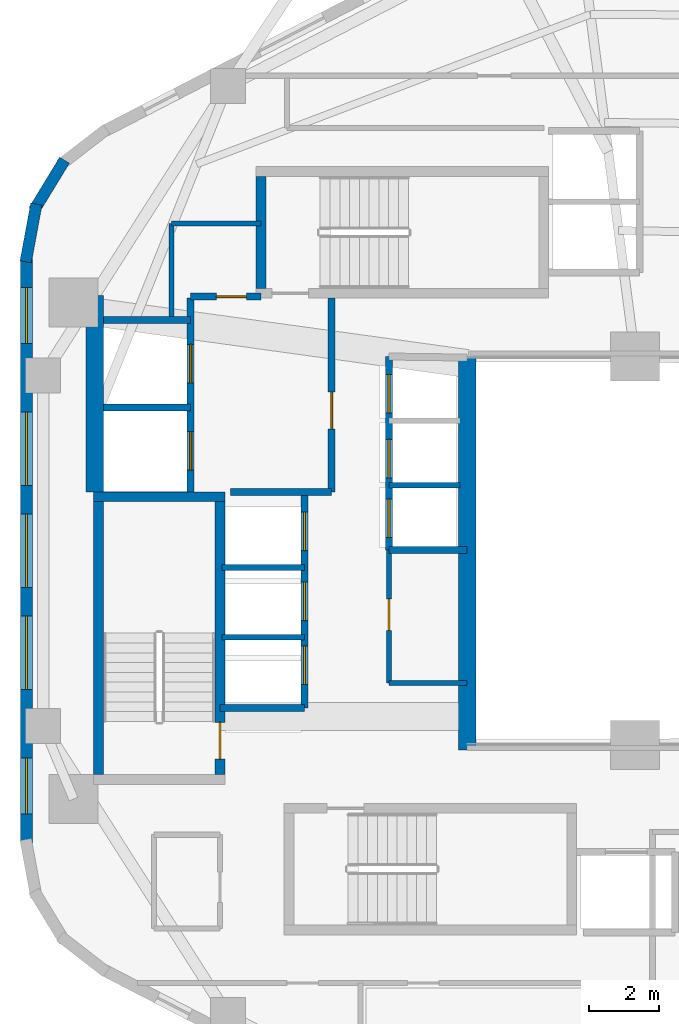
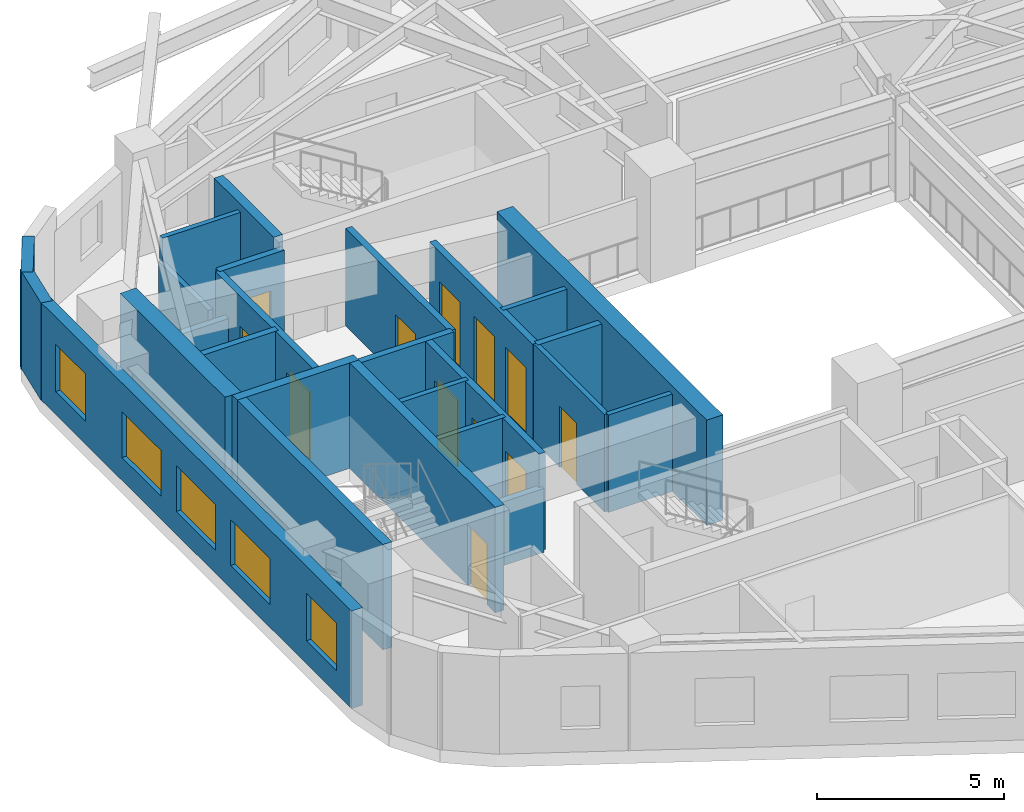
# One storey, part 5 of 9: 26 walls, 12 doors, 5 windows, 17 openings.
"""IFC4 building model written with IfcOpenShell, lengths in metres."""

from ifc_helpers import new_model, si_unit, direction, frame, frame_2d, origin, place, context, subcontext, project, spatial, rectangle, extrude, material, layer, layer_set, type_object, element, fill, save


model = new_model("IFC4")

# Units and contexts
model_context = context("Model", 3, precision=1e-05, world=origin(), true_north=direction((0.0, 1.0)))
body_context = subcontext(model_context, "Body", "Model", "MODEL_VIEW")
ifc_project = project(units=[si_unit("LENGTHUNIT", "METRE"), si_unit("AREAUNIT", "SQUARE_METRE"), si_unit("VOLUMEUNIT", "CUBIC_METRE"), si_unit("PLANEANGLEUNIT", "RADIAN"), si_unit("MASSUNIT", "GRAM", prefix="KILO"), si_unit("THERMODYNAMICTEMPERATUREUNIT", "KELVIN"), si_unit("POWERUNIT", "WATT")], contexts=[model_context])

# Site, building, storey
site_placement = place(None, origin())
site = spatial("IfcSite", under=ifc_project, at=site_placement, CompositionType="ELEMENT")
building_placement = place(site_placement, origin())
building = spatial("IfcBuilding", under=site, at=building_placement, Name="Skarre Station Tower", CompositionType="ELEMENT")
storey_placement = place(building_placement, frame((0.0, 0.0, 101.550048828125)))
storey = spatial("IfcBuildingStorey", under=building, at=storey_placement, Name="L26", CompositionType="ELEMENT", Elevation=101.550048828125)

# Wall, opening, door
ifc_material_1 = material(Name="Acoustic Steel-Stud Gypsum Partition", Category="steel")
ifc_layer_1 = layer(ifc_material_1, 0.14990234375, Name="Acoustic Steel-Stud Gypsum Partition")
ifc_layer_set_1 = layer_set([ifc_layer_1], Name="Acoustic Steel-Stud Gypsum Partition")
wall_type_1 = type_object("IfcWallType", Name="Fire-Rated Corridor Acoustic Partition 150", PredefinedType="PARTITIONING", material=ifc_layer_set_1)
wall_1_placement = place(storey_placement, frame((25.320068359375, 24.02001953125, 0.0), z_axis=(0.0, 0.0, 1.0), x_axis=(0.0, -1.0, 0.0)))
wall_1 = element("IfcWall", 1, at=wall_1_placement, inside=storey, type_object=wall_type_1, Name="L26 Interior Partition WL-PT-L26-RC1-W", PredefinedType="PARTITIONING", context=body_context, shape_type="SweptSolid", body=[
    extrude(rectangle(XDim=3.800048828125, YDim=0.14990234375, at=frame_2d((1.89990234375, 0.0))), origin(), (0.0, 0.0, 1.0), 3.18994140625),
])
opening_1_placement = place(wall_1_placement, frame((1.39990234375, 0.0, 0.0)))
opening_1 = element("IfcOpeningElement", 2, at=opening_1_placement, cuts=wall_1, Name="Opening DR-SVC90", PredefinedType="OPENING", context=body_context, shape_type="SweptSolid", body=[
    extrude(rectangle(XDim=0.89990234375, YDim=2.0, at=frame_2d((0.449951171875, 1.0))), frame((0.0, 0.0849609375, 0.0), z_axis=(0.0, -1.0, 0.0), x_axis=(1.0, 0.0, 0.0)), (0.0, 0.0, 1.0), 0.169921875),
])
ifc_material_2 = material(Name="Powder-Coated Hollow-Metal Acoustic Fire Leaf", Category="steel")
door_type_1 = type_object("IfcDoorType", Name="Service & Riser Fire Door FD60 900x2100", OperationType="SINGLE_SWING_LEFT", PredefinedType="DOOR", material=ifc_material_2)
door_1_placement = place(opening_1_placement, origin())
door_1 = element("IfcDoor", 3, at=door_1_placement, inside=storey, type_object=door_type_1, Name="L26 Housekeeping Room Door", OperationType="SINGLE_SWING_LEFT", OverallHeight=2.0, OverallWidth=0.89990234375, PredefinedType="DOOR", context=body_context, shape_type="SweptSolid", body=[
    extrude(rectangle(XDim=0.89990234375, YDim=2.0, at=frame_2d((0.449951171875, 1.0))), frame((0.0, 0.02490234375, 0.0), z_axis=(0.0, -1.0, 0.0), x_axis=(1.0, 0.0, 0.0)), (0.0, 0.0, 1.0), 0.050048828125),
])
fill(opening_1, door_1)

# Walls
wall_2_placement = place(storey_placement, frame((25.320068359375, 20.219970703125, 0.0), z_axis=(0.0, 0.0, 1.0), x_axis=(1.0, 0.0, 0.0)))
element("IfcWall", 4, at=wall_2_placement, inside=storey, type_object=wall_type_1, Name="L26 Interior Partition WL-PT-L26-RC1-S", PredefinedType="PARTITIONING", context=body_context, shape_type="SweptSolid", body=[
    extrude(rectangle(XDim=2.22998046875, YDim=0.14990234375, at=frame_2d((1.114990234375, 0.0))), origin(), (0.0, 0.0, 1.0), 3.18994140625),
])
wall_3_placement = place(storey_placement, frame((19.10009765625, 33.35009765625, 0.0), z_axis=(0.0, 0.0, 1.0), x_axis=(0.0, -1.0, 0.0)))
element("IfcWall", 5, at=wall_3_placement, inside=storey, type_object=wall_type_1, Name="L26 Interior Partition WL-PT-L26-CNW-W", PredefinedType="PARTITIONING", context=body_context, shape_type="SweptSolid", body=[
    extrude(rectangle(XDim=2.655029296875, YDim=0.14990234375, at=frame_2d((1.32763671875, 0.0))), origin(), (0.0, 0.0, 1.0), 2.419921875),
])
wall_4_placement = place(storey_placement, frame((21.659912109375, 33.35009765625, 0.0), z_axis=(0.0, 0.0, 1.0), x_axis=(-1.0, 0.0, 0.0)))
element("IfcWall", 6, at=wall_4_placement, inside=storey, type_object=wall_type_1, Name="L26 Interior Partition WL-PT-L26-CNW-N1", PredefinedType="PARTITIONING", context=body_context, shape_type="SweptSolid", body=[
    extrude(rectangle(XDim=2.559814453125, YDim=0.14990234375, at=frame_2d((1.27978515625, 0.0))), origin(), (0.0, 0.0, 1.0), 3.18994140625),
])

# Wall, openings, windows
ifc_material_3 = material(Name="Precast concrete C45/55", Category="concrete")
ifc_layer_2 = layer(ifc_material_3, 0.340087890625, Name="Precast concrete C45/55")
ifc_layer_set_2 = layer_set([ifc_layer_2], Name="Precast concrete C45/55")
wall_type_2 = type_object("IfcWallType", Name="Nordic Honed Precast Facet Wall 340", PredefinedType="STANDARD", material=ifc_layer_set_2)
wall_5_placement = place(storey_placement, frame((14.951904296875, 15.64794921875, 0.0), z_axis=(0.0, 0.0, 1.0), x_axis=(0.0, 1.0, 0.0)))
wall_5 = element("IfcWall", 7, at=wall_5_placement, inside=storey, type_object=wall_type_2, Name="L26 Facet 2 Nordic Precast Masonry Wall", PredefinedType="STANDARD", context=body_context, shape_type="SweptSolid", body=[
    extrude(rectangle(XDim=16.7041015625, YDim=0.340087890625, at=frame_2d((8.35205078125, 0.0))), origin(), (0.0, 0.0, 1.0), 3.18994140625),
])
opening_2_placement = place(wall_5_placement, frame((0.825927734375, 0.0, 0.75)))
opening_2 = element("IfcOpeningElement", 8, at=opening_2_placement, cuts=wall_5, Name="Opening WN-Z2A", PredefinedType="OPENING", context=body_context, shape_type="SweptSolid", body=[
    extrude(rectangle(XDim=1.60009765625, YDim=1.550048828125, at=frame_2d((0.800048828125, 0.77490234375))), frame((0.0, 0.179931640625, 0.0), z_axis=(0.0, -1.0, 0.0), x_axis=(1.0, 0.0, 0.0)), (0.0, 0.0, 1.0), 0.360107421875),
])
opening_3_placement = place(wall_5_placement, frame((4.387939453125, 0.0, 0.75)))
opening_3 = element("IfcOpeningElement", 9, at=opening_3_placement, cuts=wall_5, Name="Opening WN-Z2B", PredefinedType="OPENING", context=body_context, shape_type="SweptSolid", body=[
    extrude(rectangle(XDim=2.10009765625, YDim=1.5, at=frame_2d((1.050048828125, 0.75))), frame((0.0, 0.179931640625, 0.0), z_axis=(0.0, -1.0, 0.0), x_axis=(1.0, 0.0, 0.0)), (0.0, 0.0, 1.0), 0.360107421875),
])
opening_4_placement = place(wall_5_placement, frame((7.302001953125, 0.0, 0.75)))
opening_4 = element("IfcOpeningElement", 10, at=opening_4_placement, cuts=wall_5, Name="Opening WN-Z2B", PredefinedType="OPENING", context=body_context, shape_type="SweptSolid", body=[
    extrude(rectangle(XDim=2.10009765625, YDim=1.5, at=frame_2d((1.050048828125, 0.75))), frame((0.0, 0.179931640625, 0.0), z_axis=(0.0, -1.0, 0.0), x_axis=(1.0, 0.0, 0.0)), (0.0, 0.0, 1.0), 0.360107421875),
])
opening_5_placement = place(wall_5_placement, frame((10.216064453125, 0.0, 0.75)))
opening_5 = element("IfcOpeningElement", 11, at=opening_5_placement, cuts=wall_5, Name="Opening WN-Z2B", PredefinedType="OPENING", context=body_context, shape_type="SweptSolid", body=[
    extrude(rectangle(XDim=2.10009765625, YDim=1.5, at=frame_2d((1.050048828125, 0.75))), frame((0.0, 0.179931640625, 0.0), z_axis=(0.0, -1.0, 0.0), x_axis=(1.0, 0.0, 0.0)), (0.0, 0.0, 1.0), 0.360107421875),
])
opening_6_placement = place(wall_5_placement, frame((14.278076171875, 0.0, 0.75)))
opening_6 = element("IfcOpeningElement", 12, at=opening_6_placement, cuts=wall_5, Name="Opening WN-Z2A", PredefinedType="OPENING", context=body_context, shape_type="SweptSolid", body=[
    extrude(rectangle(XDim=1.60009765625, YDim=1.550048828125, at=frame_2d((0.800048828125, 0.77490234375))), frame((0.0, 0.179931640625, 0.0), z_axis=(0.0, -1.0, 0.0), x_axis=(1.0, 0.0, 0.0)), (0.0, 0.0, 1.0), 0.360107421875),
])
ifc_material_4 = material(Name="Low-Iron Triple Glazing with Bronze Anodized Frame", Category="glass")
window_type_1 = type_object("IfcWindowType", Name="Nordic Residential Tall Window 1600x1550", PartitioningType="SINGLE_PANEL", PredefinedType="WINDOW", material=ifc_material_4)
window_1_placement = place(opening_2_placement, origin())
window_1 = element("IfcWindow", 13, at=window_1_placement, inside=storey, type_object=window_type_1, Name="L26 Facade Window WL-FAC-L26-F2-1", OverallHeight=1.550048828125, OverallWidth=1.60009765625, PartitioningType="SINGLE_PANEL", PredefinedType="WINDOW", context=body_context, shape_type="SweptSolid", body=[
    extrude(rectangle(XDim=1.60009765625, YDim=1.550048828125, at=frame_2d((0.800048828125, 0.77490234375))), frame((0.0, 0.030029296875, 0.0), z_axis=(0.0, -1.0, 0.0), x_axis=(1.0, 0.0, 0.0)), (0.0, 0.0, 1.0), 0.06005859375),
])
fill(opening_2, window_1)
window_2_placement = place(opening_6_placement, origin())
window_2 = element("IfcWindow", 14, at=window_2_placement, inside=storey, type_object=window_type_1, Name="L26 Facade Window WL-FAC-L26-F2-5", OverallHeight=1.550048828125, OverallWidth=1.60009765625, PartitioningType="SINGLE_PANEL", PredefinedType="WINDOW", context=body_context, shape_type="SweptSolid", body=[
    extrude(rectangle(XDim=1.60009765625, YDim=1.550048828125, at=frame_2d((0.800048828125, 0.77490234375))), frame((0.0, 0.030029296875, 0.0), z_axis=(0.0, -1.0, 0.0), x_axis=(1.0, 0.0, 0.0)), (0.0, 0.0, 1.0), 0.06005859375),
])
fill(opening_6, window_2)
window_type_2 = type_object("IfcWindowType", Name="Nordic Residential Twin Window 2100x1500", PartitioningType="SINGLE_PANEL", PredefinedType="WINDOW", material=ifc_material_4)
window_3_placement = place(opening_3_placement, origin())
window_3 = element("IfcWindow", 15, at=window_3_placement, inside=storey, type_object=window_type_2, Name="L26 Facade Window WL-FAC-L26-F2-2", OverallHeight=1.5, OverallWidth=2.10009765625, PartitioningType="SINGLE_PANEL", PredefinedType="WINDOW", context=body_context, shape_type="SweptSolid", body=[
    extrude(rectangle(XDim=2.10009765625, YDim=1.5, at=frame_2d((1.050048828125, 0.75))), frame((0.0, 0.030029296875, 0.0), z_axis=(0.0, -1.0, 0.0), x_axis=(1.0, 0.0, 0.0)), (0.0, 0.0, 1.0), 0.06005859375),
])
fill(opening_3, window_3)
window_4_placement = place(opening_4_placement, origin())
window_4 = element("IfcWindow", 16, at=window_4_placement, inside=storey, type_object=window_type_2, Name="L26 Facade Window WL-FAC-L26-F2-3", OverallHeight=1.5, OverallWidth=2.10009765625, PartitioningType="SINGLE_PANEL", PredefinedType="WINDOW", context=body_context, shape_type="SweptSolid", body=[
    extrude(rectangle(XDim=2.10009765625, YDim=1.5, at=frame_2d((1.050048828125, 0.75))), frame((0.0, 0.030029296875, 0.0), z_axis=(0.0, -1.0, 0.0), x_axis=(1.0, 0.0, 0.0)), (0.0, 0.0, 1.0), 0.06005859375),
])
fill(opening_4, window_4)
window_5_placement = place(opening_5_placement, origin())
window_5 = element("IfcWindow", 17, at=window_5_placement, inside=storey, type_object=window_type_2, Name="L26 Facade Window WL-FAC-L26-F2-4", OverallHeight=1.5, OverallWidth=2.10009765625, PartitioningType="SINGLE_PANEL", PredefinedType="WINDOW", context=body_context, shape_type="SweptSolid", body=[
    extrude(rectangle(XDim=2.10009765625, YDim=1.5, at=frame_2d((1.050048828125, 0.75))), frame((0.0, 0.030029296875, 0.0), z_axis=(0.0, -1.0, 0.0), x_axis=(1.0, 0.0, 0.0)), (0.0, 0.0, 1.0), 0.06005859375),
])
fill(opening_5, window_5)

# Walls
ifc_layer_3 = layer(ifc_material_3, 0.330078125, Name="Precast concrete C45/55")
ifc_layer_set_3 = layer_set([ifc_layer_3], Name="Precast concrete C45/55")
wall_type_3 = type_object("IfcWallType", Name="Nordic Rounded Corner Precast Wall 330", PredefinedType="STANDARD", material=ifc_layer_set_3)
wall_6_placement = place(storey_placement, frame((14.931884765625, 32.258056640625, 0.0), z_axis=(0.0, 0.0, 1.0), x_axis=(0.181984991895, 0.983301308209, 0.0)))
element("IfcWall", 18, at=wall_6_placement, inside=storey, type_object=wall_type_3, Name="L26 Rounded Corner Precast Wall F2-1", PredefinedType="STANDARD", context=body_context, shape_type="SweptSolid", body=[
    extrude(rectangle(XDim=1.677001953125, YDim=0.330078125, at=frame_2d((0.83837890625, 0.0))), origin(), (0.0, 0.0, 1.0), 3.18994140625),
])
wall_7_placement = place(storey_placement, frame((15.169921875, 33.73193359375, 0.0), z_axis=(0.0, 0.0, 1.0), x_axis=(0.520519429557, 0.853849824883, 0.0)))
element("IfcWall", 19, at=wall_7_placement, inside=storey, type_object=wall_type_3, Name="L26 Rounded Corner Precast Wall F2-2", PredefinedType="STANDARD", context=body_context, shape_type="SweptSolid", body=[
    extrude(rectangle(XDim=1.67724609375, YDim=0.330078125, at=frame_2d((0.838623046875, 0.0))), origin(), (0.0, 0.0, 1.0), 3.18994140625),
])
ifc_material_5 = material(Name="Concrete C50/60", Category="concrete")
ifc_layer_4 = layer(ifc_material_5, 0.280029296875, Name="Concrete C50/60")
ifc_layer_set_4 = layer_set([ifc_layer_4], Name="Concrete C50/60")
wall_type_4 = type_object("IfcWallType", Name="RC Core Shear Wall 280", PredefinedType="SHEAR", material=ifc_layer_set_4)
wall_8_placement = place(storey_placement, frame((20.6298828125, 25.5400390625, 0.0), z_axis=(0.0, 0.0, 1.0), x_axis=(-1.0, 0.0, 0.0)))
element("IfcWall", 20, at=wall_8_placement, inside=storey, type_object=wall_type_4, Name="L26 Stair ST-1 North Shear Wall", PredefinedType="SHEAR", context=body_context, shape_type="SweptSolid", body=[
    extrude(rectangle(XDim=3.759765625, YDim=0.280029296875, at=frame_2d((1.8798828125, 0.0))), origin(), (0.0, 0.0, 1.0), 3.449951171875),
])
wall_9_placement = place(storey_placement, frame((17.010009765625, 25.39990234375, 0.0), z_axis=(0.0, 0.0, 1.0), x_axis=(0.0, -1.0, 0.0)))
element("IfcWall", 21, at=wall_9_placement, inside=storey, type_object=wall_type_4, Name="L26 Stair ST-1 West Shear Wall", PredefinedType="SHEAR", context=body_context, shape_type="SweptSolid", body=[
    extrude(rectangle(XDim=7.7998046875, YDim=0.280029296875, at=frame_2d((3.89990234375, 0.0))), origin(), (0.0, 0.0, 1.0), 3.449951171875),
])

# Wall, opening, door
wall_10_placement = place(storey_placement, frame((20.489990234375, 17.60009765625, 0.0), z_axis=(0.0, 0.0, 1.0), x_axis=(0.0, 1.0, 0.0)))
wall_10 = element("IfcWall", 22, at=wall_10_placement, inside=storey, type_object=wall_type_4, Name="L26 Stair ST-1 East Shear Wall", PredefinedType="SHEAR", context=body_context, shape_type="SweptSolid", body=[
    extrude(rectangle(XDim=7.7998046875, YDim=0.280029296875, at=frame_2d((3.89990234375, 0.0))), origin(), (0.0, 0.0, 1.0), 3.449951171875),
])
opening_7_placement = place(wall_10_placement, frame((0.43994140625, 0.0, 0.0)))
opening_7 = element("IfcOpeningElement", 23, at=opening_7_placement, cuts=wall_10, Name="Opening DR-FD90", PredefinedType="OPENING", context=body_context, shape_type="SweptSolid", body=[
    extrude(rectangle(XDim=1.050048828125, YDim=2.0, at=frame_2d((0.52490234375, 1.0))), frame((0.0, 0.14990234375, 0.0), z_axis=(0.0, -1.0, 0.0), x_axis=(1.0, 0.0, 0.0)), (0.0, 0.0, 1.0), 0.300048828125),
])
ifc_material_6 = material(Name="Fire-Rated Insulated Steel Frame & Timber Core Leaf", Category="steel")
door_type_2 = type_object("IfcDoorType", Name="Stair & FSAE Lobby Fire Door FD90 1050x2150", OperationType="SINGLE_SWING_RIGHT", PredefinedType="DOOR", material=ifc_material_6)
door_2_placement = place(opening_7_placement, origin())
door_2 = element("IfcDoor", 24, at=door_2_placement, inside=storey, type_object=door_type_2, Name="L26 Stair ST-1 Exit Door", OperationType="SINGLE_SWING_RIGHT", OverallHeight=2.0, OverallWidth=1.050048828125, PredefinedType="DOOR", context=body_context, shape_type="SweptSolid", body=[
    extrude(rectangle(XDim=1.050048828125, YDim=2.0, at=frame_2d((0.52490234375, 1.0))), frame((0.0, 0.02490234375, 0.0), z_axis=(0.0, -1.0, 0.0), x_axis=(1.0, 0.0, 0.0)), (0.0, 0.0, 1.0), 0.050048828125),
])
fill(opening_7, door_2)

# Walls
wall_11_placement = place(storey_placement, frame((21.659912109375, 34.699951171875, 0.0), z_axis=(0.0, 0.0, 1.0), x_axis=(0.0, -1.0, 0.0)))
element("IfcWall", 25, at=wall_11_placement, inside=storey, type_object=wall_type_4, Name="L26 Stair ST-3 West Shear Wall", PredefinedType="SHEAR", context=body_context, shape_type="SweptSolid", body=[
    extrude(rectangle(XDim=3.199951171875, YDim=0.280029296875, at=frame_2d((1.60009765625, 0.0))), origin(), (0.0, 0.0, 1.0), 3.449951171875),
])
ifc_material_7 = material(Name="Concrete C70/85", Category="concrete")
ifc_layer_5 = layer(ifc_material_7, 0.5, Name="Concrete C70/85")
ifc_layer_set_5 = layer_set([ifc_layer_5], Name="Concrete C70/85")
wall_type_5 = type_object("IfcWallType", Name="RC Core Shear Wall 500", PredefinedType="SHEAR", material=ifc_layer_set_5)
wall_12_placement = place(storey_placement, frame((16.89990234375, 25.679931640625, 0.0), z_axis=(0.0, 0.0, 1.0), x_axis=(0.0, 1.0, 0.0)))
element("IfcWall", 26, at=wall_12_placement, inside=storey, type_object=wall_type_5, Name="L26 Core West-North Shear Wall", PredefinedType="SHEAR", context=body_context, shape_type="SweptSolid", body=[
    extrude(rectangle(XDim=5.6201171875, YDim=0.5, at=frame_2d((2.81005859375, 0.0))), origin(), (0.0, 0.0, 1.0), 3.449951171875),
])
wall_13_placement = place(storey_placement, frame((27.550048828125, 29.550048828125, 0.0), z_axis=(0.0, 0.0, 1.0), x_axis=(0.0, -1.0, 0.0)))
element("IfcWall", 27, at=wall_13_placement, inside=storey, type_object=wall_type_5, Name="L26 Core East Atrium Shear Wall", PredefinedType="SHEAR", context=body_context, shape_type="SweptSolid", body=[
    extrude(rectangle(XDim=11.25, YDim=0.5, at=frame_2d((5.625, 0.0))), origin(), (0.0, 0.0, 1.0), 3.449951171875),
])

# Wall, openings, doors
ifc_material_8 = material(Name="Gypsum Concrete Shaft Assembly C30/37", Category="concrete")
ifc_layer_6 = layer(ifc_material_8, 0.199951171875, Name="Gypsum Concrete Shaft Assembly C30/37")
ifc_layer_set_6 = layer_set([ifc_layer_6], Name="Gypsum Concrete Shaft Assembly C30/37")
wall_type_6 = type_object("IfcWallType", Name="Shaft & Core Fire Partition 200", PredefinedType="PARTITIONING", material=ifc_layer_set_6)
wall_14_placement = place(storey_placement, frame((19.64990234375, 25.679931640625, 0.0), z_axis=(0.0, 0.0, 1.0), x_axis=(0.0, 1.0, 0.0)))
wall_14 = element("IfcWall", 28, at=wall_14_placement, inside=storey, type_object=wall_type_6, Name="L26 Interior Partition WL-PT-L26-FSAE-W", PredefinedType="PARTITIONING", context=body_context, shape_type="SweptSolid", body=[
    extrude(rectangle(XDim=5.5400390625, YDim=0.199951171875, at=frame_2d((2.77001953125, 0.0))), origin(), (0.0, 0.0, 1.0), 3.18994140625),
])
opening_8_placement = place(wall_14_placement, frame((0.6201171875, 0.0, 0.0)))
opening_8 = element("IfcOpeningElement", 29, at=opening_8_placement, cuts=wall_14, Name="Opening LD-FF1", PredefinedType="OPENING", context=body_context, shape_type="SweptSolid", body=[
    extrude(rectangle(XDim=1.10009765625, YDim=2.199951171875, at=frame_2d((0.550048828125, 1.10009765625))), frame((0.0, 0.10986328125, 0.0), z_axis=(0.0, -1.0, 0.0), x_axis=(1.0, 0.0, 0.0)), (0.0, 0.0, 1.0), 0.219970703125),
])
opening_9_placement = place(wall_14_placement, frame((3.1201171875, 0.0, 0.0)))
opening_9 = element("IfcOpeningElement", 30, at=opening_9_placement, cuts=wall_14, Name="Opening LD-FF2", PredefinedType="OPENING", context=body_context, shape_type="SweptSolid", body=[
    extrude(rectangle(XDim=1.10009765625, YDim=2.199951171875, at=frame_2d((0.550048828125, 1.10009765625))), frame((0.0, 0.10986328125, 0.0), z_axis=(0.0, -1.0, 0.0), x_axis=(1.0, 0.0, 0.0)), (0.0, 0.0, 1.0), 0.219970703125),
])
ifc_material_9 = material(Name="Fire-Rated Stainless Steel Grade 316L Sliding Leaves", Category="steel")
door_type_3 = type_object("IfcDoorType", Name="Fire Service Access Elevator Sliding Landing Door 1100x2200", OperationType="SLIDING_TO_LEFT", PredefinedType="DOOR", material=ifc_material_9)
door_3_placement = place(opening_8_placement, origin())
door_3 = element("IfcDoor", 31, at=door_3_placement, inside=storey, type_object=door_type_3, Name="L26 Firefighting Lift LF-FF1 Landing Door", OperationType="SLIDING_TO_LEFT", OverallHeight=2.199951171875, OverallWidth=1.10009765625, PredefinedType="DOOR", context=body_context, shape_type="SweptSolid", body=[
    extrude(rectangle(XDim=1.10009765625, YDim=2.199951171875, at=frame_2d((0.550048828125, 1.10009765625))), frame((0.0, 0.02490234375, 0.0), z_axis=(0.0, -1.0, 0.0), x_axis=(1.0, 0.0, 0.0)), (0.0, 0.0, 1.0), 0.050048828125),
])
fill(opening_8, door_3)
door_4_placement = place(opening_9_placement, origin())
door_4 = element("IfcDoor", 32, at=door_4_placement, inside=storey, type_object=door_type_3, Name="L26 Firefighting Lift LF-FF2 Landing Door", OperationType="SLIDING_TO_LEFT", OverallHeight=2.199951171875, OverallWidth=1.10009765625, PredefinedType="DOOR", context=body_context, shape_type="SweptSolid", body=[
    extrude(rectangle(XDim=1.10009765625, YDim=2.199951171875, at=frame_2d((0.550048828125, 1.10009765625))), frame((0.0, 0.02490234375, 0.0), z_axis=(0.0, -1.0, 0.0), x_axis=(1.0, 0.0, 0.0)), (0.0, 0.0, 1.0), 0.050048828125),
])
fill(opening_9, door_4)

# Wall
wall_15_placement = place(storey_placement, frame((20.79296875, 25.679931640625, 0.0), z_axis=(0.0, 0.0, 1.0), x_axis=(1.0, 0.0, 0.0)))
element("IfcWall", 33, at=wall_15_placement, inside=storey, type_object=wall_type_6, Name="L26 Interior Partition WL-PT-L26-FSAE-S", PredefinedType="PARTITIONING", context=body_context, shape_type="SweptSolid", body=[
    extrude(rectangle(XDim=2.886962890625, YDim=0.199951171875, at=frame_2d((1.443359375, 0.0))), origin(), (0.0, 0.0, 1.0), 3.18994140625),
])

# Wall, opening, door
wall_16_placement = place(storey_placement, frame((23.679931640625, 25.679931640625, 0.0), z_axis=(0.0, 0.0, 1.0), x_axis=(0.0, 1.0, 0.0)))
wall_16 = element("IfcWall", 34, at=wall_16_placement, inside=storey, type_object=wall_type_6, Name="L26 Interior Partition WL-PT-L26-FSAE-E", PredefinedType="PARTITIONING", context=body_context, shape_type="SweptSolid", body=[
    extrude(rectangle(XDim=5.5400390625, YDim=0.199951171875, at=frame_2d((2.77001953125, 0.0))), origin(), (0.0, 0.0, 1.0), 3.18994140625),
])
opening_10_placement = place(wall_16_placement, frame((1.800048828125, 0.0, 0.0)))
opening_10 = element("IfcOpeningElement", 35, at=opening_10_placement, cuts=wall_16, Name="Opening DR-FD90", PredefinedType="OPENING", context=body_context, shape_type="SweptSolid", body=[
    extrude(rectangle(XDim=1.050048828125, YDim=2.0, at=frame_2d((0.52490234375, 1.0))), frame((0.0, 0.10986328125, 0.0), z_axis=(0.0, -1.0, 0.0), x_axis=(1.0, 0.0, 0.0)), (0.0, 0.0, 1.0), 0.219970703125),
])
door_5_placement = place(opening_10_placement, origin())
door_5 = element("IfcDoor", 36, at=door_5_placement, inside=storey, type_object=door_type_2, Name="L26 FSAE Lobby Fire Door", OperationType="SINGLE_SWING_RIGHT", OverallHeight=2.0, OverallWidth=1.050048828125, PredefinedType="DOOR", context=body_context, shape_type="SweptSolid", body=[
    extrude(rectangle(XDim=1.050048828125, YDim=2.0, at=frame_2d((0.52490234375, 1.0))), frame((0.0, 0.02490234375, 0.0), z_axis=(0.0, -1.0, 0.0), x_axis=(1.0, 0.0, 0.0)), (0.0, 0.0, 1.0), 0.050048828125),
])
fill(opening_10, door_5)

wall_17_placement = place(storey_placement, frame((21.659912109375, 31.260009765625, 0.0), z_axis=(0.0, 0.0, 1.0), x_axis=(-1.0, 0.0, 0.0)))
wall_17 = element("IfcWall", 37, at=wall_17_placement, inside=storey, type_object=wall_type_6, Name="L26 Interior Partition WL-PT-L26-FSAE-N", PredefinedType="PARTITIONING", context=body_context, shape_type="SweptSolid", body=[
    extrude(rectangle(XDim=2.010009765625, YDim=0.199951171875, at=frame_2d((1.0048828125, 0.0))), origin(), (0.0, 0.0, 1.0), 3.18994140625),
])
opening_11_placement = place(wall_17_placement, frame((0.419921875, 0.0, 0.0)))
opening_11 = element("IfcOpeningElement", 38, at=opening_11_placement, cuts=wall_17, Name="Opening DR-SVC86", PredefinedType="OPENING", context=body_context, shape_type="SweptSolid", body=[
    extrude(rectangle(XDim=0.860107421875, YDim=2.0, at=frame_2d((0.43017578125, 1.0))), frame((0.0, 0.10986328125, 0.0), z_axis=(0.0, -1.0, 0.0), x_axis=(1.0, 0.0, 0.0)), (0.0, 0.0, 1.0), 0.219970703125),
])
door_type_4 = type_object("IfcDoorType", Name="Compact Riser Fire Door FD60 860x2100", OperationType="SINGLE_SWING_LEFT", PredefinedType="DOOR", material=ifc_material_2)
door_6_placement = place(opening_11_placement, origin())
door_6 = element("IfcDoor", 39, at=door_6_placement, inside=storey, type_object=door_type_4, Name="L26 Core Service Room Lobby Door", OperationType="SINGLE_SWING_LEFT", OverallHeight=2.0, OverallWidth=0.860107421875, PredefinedType="DOOR", context=body_context, shape_type="SweptSolid", body=[
    extrude(rectangle(XDim=0.860107421875, YDim=2.0, at=frame_2d((0.43017578125, 1.0))), frame((0.0, 0.02490234375, 0.0), z_axis=(0.0, -1.0, 0.0), x_axis=(1.0, 0.0, 0.0)), (0.0, 0.0, 1.0), 0.050048828125),
])
fill(opening_11, door_6)

# Walls
wall_18_placement = place(storey_placement, frame((17.14990234375, 28.10009765625, 0.0), z_axis=(0.0, 0.0, 1.0), x_axis=(1.0, 0.0, 0.0)))
element("IfcWall", 40, at=wall_18_placement, inside=storey, type_object=wall_type_6, Name="L26 Interior Partition WL-PT-L26-FF-DIV", PredefinedType="PARTITIONING", context=body_context, shape_type="SweptSolid", body=[
    extrude(rectangle(XDim=2.5, YDim=0.199951171875, at=frame_2d((1.25, 0.0))), origin(), (0.0, 0.0, 1.0), 3.18994140625),
])
wall_19_placement = place(storey_placement, frame((19.64990234375, 30.60009765625, 0.0), z_axis=(0.0, 0.0, 1.0), x_axis=(-1.0, 0.0, 0.0)))
element("IfcWall", 41, at=wall_19_placement, inside=storey, type_object=wall_type_6, Name="L26 Interior Partition WL-PT-L26-FF-N", PredefinedType="PARTITIONING", context=body_context, shape_type="SweptSolid", body=[
    extrude(rectangle(XDim=2.5, YDim=0.199951171875, at=frame_2d((1.25, 0.0))), origin(), (0.0, 0.0, 1.0), 2.08984375),
])

# Wall, openings, doors
wall_20_placement = place(storey_placement, frame((22.89990234375, 19.5, 0.0), z_axis=(0.0, 0.0, 1.0), x_axis=(0.0, 1.0, 0.0)))
wall_20 = element("IfcWall", 42, at=wall_20_placement, inside=storey, type_object=wall_type_6, Name="L26 Interior Partition WL-PT-L26-B3-E", PredefinedType="PARTITIONING", context=body_context, shape_type="SweptSolid", body=[
    extrude(rectangle(XDim=6.0849609375, YDim=0.199951171875, at=frame_2d((3.04248046875, 0.0))), origin(), (0.0, 0.0, 1.0), 3.18994140625),
])
opening_12_placement = place(wall_20_placement, frame((0.679931640625, 0.0, 0.0)))
opening_12 = element("IfcOpeningElement", 43, at=opening_12_placement, cuts=wall_20, Name="Opening LD-P7", PredefinedType="OPENING", context=body_context, shape_type="SweptSolid", body=[
    extrude(rectangle(XDim=1.10009765625, YDim=2.199951171875, at=frame_2d((0.550048828125, 1.10009765625))), frame((0.0, 0.10986328125, 0.0), z_axis=(0.0, -1.0, 0.0), x_axis=(1.0, 0.0, 0.0)), (0.0, 0.0, 1.0), 0.219970703125),
])
opening_13_placement = place(wall_20_placement, frame((2.5, 0.0, 0.0)))
opening_13 = element("IfcOpeningElement", 44, at=opening_13_placement, cuts=wall_20, Name="Opening LD-P8", PredefinedType="OPENING", context=body_context, shape_type="SweptSolid", body=[
    extrude(rectangle(XDim=1.10009765625, YDim=2.199951171875, at=frame_2d((0.550048828125, 1.10009765625))), frame((0.0, 0.10986328125, 0.0), z_axis=(0.0, -1.0, 0.0), x_axis=(1.0, 0.0, 0.0)), (0.0, 0.0, 1.0), 0.219970703125),
])
opening_14_placement = place(wall_20_placement, frame((4.5, 0.0, 0.0)))
opening_14 = element("IfcOpeningElement", 45, at=opening_14_placement, cuts=wall_20, Name="Opening LD-P9", PredefinedType="OPENING", context=body_context, shape_type="SweptSolid", body=[
    extrude(rectangle(XDim=1.10009765625, YDim=2.199951171875, at=frame_2d((0.550048828125, 1.10009765625))), frame((0.0, 0.10986328125, 0.0), z_axis=(0.0, -1.0, 0.0), x_axis=(1.0, 0.0, 0.0)), (0.0, 0.0, 1.0), 0.219970703125),
])
ifc_material_10 = material(Name="Brushed Bronze Stainless Steel Sliding Leaves", Category="steel")
door_type_5 = type_object("IfcDoorType", Name="Passenger Elevator Center-Parting Sliding Door 1100x2200", OperationType="SLIDING_TO_LEFT", PredefinedType="DOOR", material=ifc_material_10)
door_7_placement = place(opening_12_placement, origin())
door_7 = element("IfcDoor", 46, at=door_7_placement, inside=storey, type_object=door_type_5, Name="L26 Passenger Lift LF-P7 Landing Door", OperationType="SLIDING_TO_LEFT", OverallHeight=2.199951171875, OverallWidth=1.10009765625, PredefinedType="DOOR", context=body_context, shape_type="SweptSolid", body=[
    extrude(rectangle(XDim=1.10009765625, YDim=2.199951171875, at=frame_2d((0.550048828125, 1.10009765625))), frame((0.0, 0.02490234375, 0.0), z_axis=(0.0, -1.0, 0.0), x_axis=(1.0, 0.0, 0.0)), (0.0, 0.0, 1.0), 0.050048828125),
])
fill(opening_12, door_7)
door_8_placement = place(opening_13_placement, origin())
door_8 = element("IfcDoor", 47, at=door_8_placement, inside=storey, type_object=door_type_5, Name="L26 Passenger Lift LF-P8 Landing Door", OperationType="SLIDING_TO_LEFT", OverallHeight=2.199951171875, OverallWidth=1.10009765625, PredefinedType="DOOR", context=body_context, shape_type="SweptSolid", body=[
    extrude(rectangle(XDim=1.10009765625, YDim=2.199951171875, at=frame_2d((0.550048828125, 1.10009765625))), frame((0.0, 0.02490234375, 0.0), z_axis=(0.0, -1.0, 0.0), x_axis=(1.0, 0.0, 0.0)), (0.0, 0.0, 1.0), 0.050048828125),
])
fill(opening_13, door_8)
door_9_placement = place(opening_14_placement, origin())
door_9 = element("IfcDoor", 48, at=door_9_placement, inside=storey, type_object=door_type_5, Name="L26 Passenger Lift LF-P9 Landing Door", OperationType="SLIDING_TO_LEFT", OverallHeight=2.199951171875, OverallWidth=1.10009765625, PredefinedType="DOOR", context=body_context, shape_type="SweptSolid", body=[
    extrude(rectangle(XDim=1.10009765625, YDim=2.199951171875, at=frame_2d((0.550048828125, 1.10009765625))), frame((0.0, 0.02490234375, 0.0), z_axis=(0.0, -1.0, 0.0), x_axis=(1.0, 0.0, 0.0)), (0.0, 0.0, 1.0), 0.050048828125),
])
fill(opening_14, door_9)

# Walls
wall_21_placement = place(storey_placement, frame((20.489990234375, 19.5, 0.0), z_axis=(0.0, 0.0, 1.0), x_axis=(1.0, 0.0, 0.0)))
element("IfcWall", 49, at=wall_21_placement, inside=storey, type_object=wall_type_6, Name="L26 Interior Partition WL-PT-L26-B3-S", PredefinedType="PARTITIONING", context=body_context, shape_type="SweptSolid", body=[
    extrude(rectangle(XDim=2.409912109375, YDim=0.199951171875, at=frame_2d((1.205078125, 0.0))), origin(), (0.0, 0.0, 1.0), 2.08984375),
])
for number, where, z_axis, x_axis, name in (
    (50, (20.550048828125, 21.52001953125, 0.0), (0.0, 0.0, 1.0), (1.0, 0.0, 0.0), "L26 Interior Partition WL-PT-L26-B3-D1"),
    (51, (20.550048828125, 23.52001953125, 0.0), (0.0, 0.0, 1.0), (1.0, 0.0, 0.0), "L26 Interior Partition WL-PT-L26-B3-D2"),
):
    element("IfcWall", number, at=place(storey_placement, frame(where, z_axis=z_axis, x_axis=x_axis)), inside=storey, type_object=wall_type_6, Name=name, PredefinedType="PARTITIONING", context=body_context, shape_type="SweptSolid", body=[
        extrude(rectangle(XDim=2.349853515625, YDim=0.159912109375, at=frame_2d((1.1748046875, 0.0))), origin(), (0.0, 0.0, 1.0), 3.18994140625),
    ])

# Wall, openings, doors
wall_22_placement = place(storey_placement, frame((25.320068359375, 29.550048828125, 0.0), z_axis=(0.0, 0.0, 1.0), x_axis=(0.0, -1.0, 0.0)))
wall_22 = element("IfcWall", 52, at=wall_22_placement, inside=storey, type_object=wall_type_6, Name="L26 Interior Partition WL-PT-L26-B2-W", PredefinedType="PARTITIONING", context=body_context, shape_type="SweptSolid", body=[
    extrude(rectangle(XDim=5.530029296875, YDim=0.199951171875, at=frame_2d((2.76513671875, 0.0))), origin(), (0.0, 0.0, 1.0), 3.18994140625),
])
opening_15_placement = place(wall_22_placement, frame((0.52001953125, 0.0, 0.0)))
opening_15 = element("IfcOpeningElement", 53, at=opening_15_placement, cuts=wall_22, Name="Opening LD-P6", PredefinedType="OPENING", context=body_context, shape_type="SweptSolid", body=[
    extrude(rectangle(XDim=1.10009765625, YDim=2.199951171875, at=frame_2d((0.550048828125, 1.10009765625))), frame((0.0, 0.10986328125, 0.0), z_axis=(0.0, -1.0, 0.0), x_axis=(1.0, 0.0, 0.0)), (0.0, 0.0, 1.0), 0.219970703125),
])
opening_16_placement = place(wall_22_placement, frame((2.3701171875, 0.0, 0.0)))
opening_16 = element("IfcOpeningElement", 54, at=opening_16_placement, cuts=wall_22, Name="Opening LD-P5", PredefinedType="OPENING", context=body_context, shape_type="SweptSolid", body=[
    extrude(rectangle(XDim=1.10009765625, YDim=2.199951171875, at=frame_2d((0.550048828125, 1.10009765625))), frame((0.0, 0.10986328125, 0.0), z_axis=(0.0, -1.0, 0.0), x_axis=(1.0, 0.0, 0.0)), (0.0, 0.0, 1.0), 0.219970703125),
])
opening_17_placement = place(wall_22_placement, frame((4.070068359375, 0.0, 0.0)))
opening_17 = element("IfcOpeningElement", 55, at=opening_17_placement, cuts=wall_22, Name="Opening LD-P4", PredefinedType="OPENING", context=body_context, shape_type="SweptSolid", body=[
    extrude(rectangle(XDim=1.10009765625, YDim=2.199951171875, at=frame_2d((0.550048828125, 1.10009765625))), frame((0.0, 0.10986328125, 0.0), z_axis=(0.0, -1.0, 0.0), x_axis=(1.0, 0.0, 0.0)), (0.0, 0.0, 1.0), 0.219970703125),
])
door_10_placement = place(opening_15_placement, origin())
door_10 = element("IfcDoor", 56, at=door_10_placement, inside=storey, type_object=door_type_5, Name="L26 Passenger Lift LF-P6 Landing Door", OperationType="SLIDING_TO_LEFT", OverallHeight=2.199951171875, OverallWidth=1.10009765625, PredefinedType="DOOR", context=body_context, shape_type="SweptSolid", body=[
    extrude(rectangle(XDim=1.10009765625, YDim=2.199951171875, at=frame_2d((0.550048828125, 1.10009765625))), frame((0.0, 0.02490234375, 0.0), z_axis=(0.0, -1.0, 0.0), x_axis=(1.0, 0.0, 0.0)), (0.0, 0.0, 1.0), 0.050048828125),
])
fill(opening_15, door_10)
door_11_placement = place(opening_16_placement, origin())
door_11 = element("IfcDoor", 57, at=door_11_placement, inside=storey, type_object=door_type_5, Name="L26 Passenger Lift LF-P5 Landing Door", OperationType="SLIDING_TO_LEFT", OverallHeight=2.199951171875, OverallWidth=1.10009765625, PredefinedType="DOOR", context=body_context, shape_type="SweptSolid", body=[
    extrude(rectangle(XDim=1.10009765625, YDim=2.199951171875, at=frame_2d((0.550048828125, 1.10009765625))), frame((0.0, 0.02490234375, 0.0), z_axis=(0.0, -1.0, 0.0), x_axis=(1.0, 0.0, 0.0)), (0.0, 0.0, 1.0), 0.050048828125),
])
fill(opening_16, door_11)
door_12_placement = place(opening_17_placement, origin())
door_12 = element("IfcDoor", 58, at=door_12_placement, inside=storey, type_object=door_type_5, Name="L26 Passenger Lift LF-P4 Landing Door", OperationType="SLIDING_TO_LEFT", OverallHeight=2.199951171875, OverallWidth=1.10009765625, PredefinedType="DOOR", context=body_context, shape_type="SweptSolid", body=[
    extrude(rectangle(XDim=1.10009765625, YDim=2.199951171875, at=frame_2d((0.550048828125, 1.10009765625))), frame((0.0, 0.02490234375, 0.0), z_axis=(0.0, -1.0, 0.0), x_axis=(1.0, 0.0, 0.0)), (0.0, 0.0, 1.0), 0.050048828125),
])
fill(opening_17, door_12)

# Walls
wall_23_placement = place(storey_placement, frame((25.320068359375, 24.02001953125, 0.0), z_axis=(0.0, 0.0, 1.0), x_axis=(1.0, 0.0, 0.0)))
element("IfcWall", 59, at=wall_23_placement, inside=storey, type_object=wall_type_6, Name="L26 Interior Partition WL-PT-L26-B2-S", PredefinedType="PARTITIONING", context=body_context, shape_type="SweptSolid", body=[
    extrude(rectangle(XDim=2.22998046875, YDim=0.199951171875, at=frame_2d((1.114990234375, 0.0))), origin(), (0.0, 0.0, 1.0), 3.18994140625),
])
wall_24_placement = place(storey_placement, frame((25.320068359375, 25.8701171875, 0.0), z_axis=(0.0, 0.0, 1.0), x_axis=(1.0, 0.0, 0.0)))
element("IfcWall", 60, at=wall_24_placement, inside=storey, type_object=wall_type_6, Name="L26 Interior Partition WL-PT-L26-B2-D258", PredefinedType="PARTITIONING", context=body_context, shape_type="SweptSolid", body=[
    extrude(rectangle(XDim=2.030029296875, YDim=0.159912109375, at=frame_2d((1.01513671875, 0.0))), origin(), (0.0, 0.0, 1.0), 3.18994140625),
])

save(model, "model.ifc")
